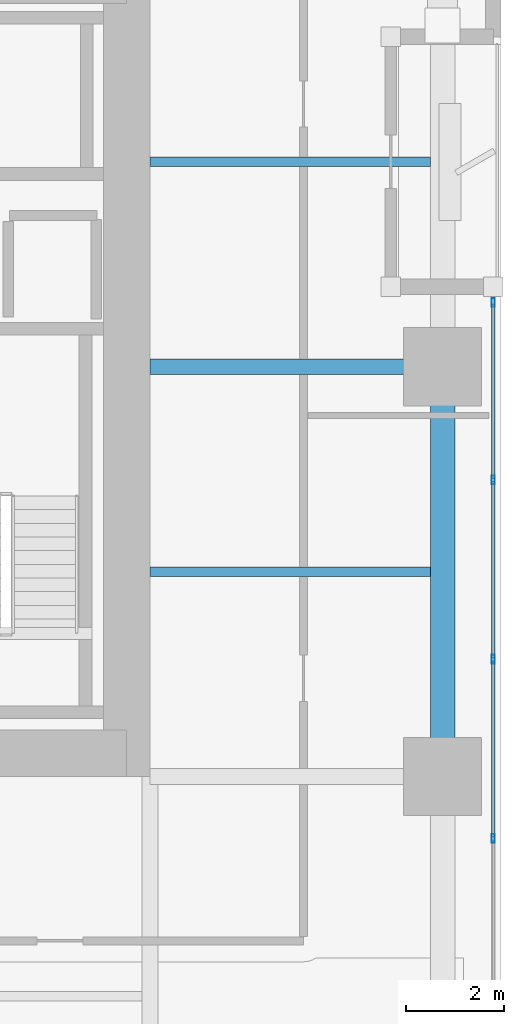
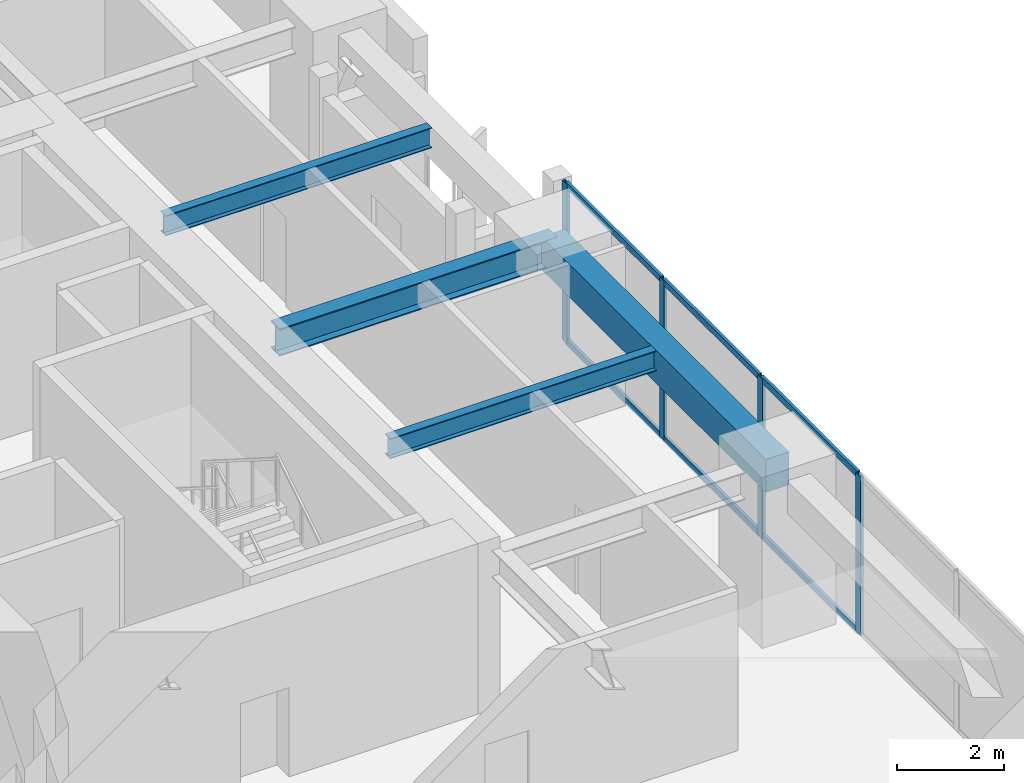
# One storey, part 6 of 24: 10 members, 4 beams, 1 element without a shape of its own.
"""IFC4 building model written with IfcOpenShell, lengths in metres."""

from ifc_helpers import new_model, si_unit, direction, frame, origin, origin_2d, place, context, subcontext, project, spatial, rectangle, hollow_rectangle, i_section, extrude, material, layer, layer_set, material_profile, profile_set, type_object, element, aggregate, save


model = new_model("IFC4")

# Units and contexts
model_context = context("Model", 3, precision=1e-05, world=origin(), true_north=direction((0.0, 1.0)))
body_context = subcontext(model_context, "Body", "Model", "MODEL_VIEW")
ifc_project = project(units=[si_unit("LENGTHUNIT", "METRE"), si_unit("AREAUNIT", "SQUARE_METRE"), si_unit("VOLUMEUNIT", "CUBIC_METRE"), si_unit("PLANEANGLEUNIT", "RADIAN"), si_unit("MASSUNIT", "GRAM", prefix="KILO")], contexts=[model_context])

# Site, building, storey
site_placement = place(None, origin())
site = spatial("IfcSite", under=ifc_project, at=site_placement, CompositionType="ELEMENT")
building_placement = place(site_placement, origin())
building = spatial("IfcBuilding", under=site, at=building_placement, Name="Kiyonajd Concourse Tower", CompositionType="ELEMENT")
storey_placement = place(building_placement, frame((0.0, 0.0, 85.800048828125)))
storey = spatial("IfcBuildingStorey", under=building, at=storey_placement, Name="L22", CompositionType="ELEMENT", Elevation=85.800048828125)

# Beams
ifc_material_1 = material(Name="Steel ASTM A992 Grade 50", Category="steel")
ifc_material_profile_1 = material_profile(ifc_material_1, i_section(OverallWidth=0.19189453125, OverallDepth=0.462890625, WebThickness=0.010498046875, FlangeThickness=0.017578125, at=origin_2d()), Name="W460X89")
ifc_profile_set_1 = profile_set([ifc_material_profile_1], Name="Steel ASTM A992 Grade 50")
beam_type_1 = type_object("IfcBeamType", Name="BM-JST-460B", PredefinedType="JOIST", material=ifc_profile_set_1)
for number, where, z_axis, x_axis, name in (
    (1, (63.60009765625, 31.800048828125, 3.408447265625), (1.0, 0.0, 0.0), (0.0, 1.0, 0.0), "L22 East Secondary Floor Joist"),
    (2, (63.60009765625, 40.199951171875, 3.408447265625), (1.0, 0.0, 0.0), (0.0, 1.0, 0.0), "L22 East Secondary Floor Joist"),
):
    element("IfcBeam", number, at=place(storey_placement, frame(where, z_axis=z_axis, x_axis=x_axis)), inside=storey, type_object=beam_type_1, Name=name, PredefinedType="JOIST", context=body_context, shape_type="SweptSolid", body=[
        extrude(i_section(OverallWidth=0.19189453125, OverallDepth=0.462890625, WebThickness=0.010498046875, FlangeThickness=0.017578125, at=origin_2d()), origin(), (0.0, 0.0, 1.0), 5.75),
    ])
ifc_material_2 = material(Name="Precast concrete C50/60", Category="concrete")
ifc_material_profile_2 = material_profile(ifc_material_2, rectangle(XDim=0.5, YDim=0.75, at=origin_2d()), Name="RCBM-500x750")
ifc_profile_set_2 = profile_set([ifc_material_profile_2], Name="Precast concrete C50/60")
beam_type_2 = type_object("IfcBeamType", Name="BM-SPAN-RC", PredefinedType="SPANDREL", material=ifc_profile_set_2)
beam_1_placement = place(storey_placement, frame((69.60009765625, 27.60009765625, 3.264892578125), z_axis=(0.0, 1.0, 0.0), x_axis=(-1.0, 0.0, 0.0)))
element("IfcBeam", 3, at=beam_1_placement, inside=storey, type_object=beam_type_2, Name="L22 Perimeter Bundled Tube Spandrel", PredefinedType="SPANDREL", context=body_context, shape_type="SweptSolid", body=[
    extrude(rectangle(XDim=0.5, YDim=0.75, at=origin_2d()), origin(), (0.0, 0.0, 1.0), 8.39990234375),
])
ifc_material_profile_3 = material_profile(ifc_material_1, i_section(OverallWidth=0.326904296875, OverallDepth=0.6220703125, WebThickness=0.015380859375, FlangeThickness=0.0244140625, at=origin_2d()), Name="W610X195")
ifc_profile_set_3 = profile_set([ifc_material_profile_3], Name="Steel ASTM A992 Grade 50")
beam_type_3 = type_object("IfcBeamType", Name="BM-TWR-610A", PredefinedType="BEAM", material=ifc_profile_set_3)
beam_2_placement = place(storey_placement, frame((63.60009765625, 36.0, 3.328857421875), z_axis=(1.0, 0.0, 0.0), x_axis=(0.0, 1.0, 0.0)))
element("IfcBeam", 4, at=beam_2_placement, inside=storey, type_object=beam_type_3, Name="L22 East Lease Girder", PredefinedType="BEAM", context=body_context, shape_type="SweptSolid", body=[
    extrude(i_section(OverallWidth=0.326904296875, OverallDepth=0.6220703125, WebThickness=0.015380859375, FlangeThickness=0.0244140625, at=origin_2d()), origin(), (0.0, 0.0, 1.0), 6.0),
])

# Curtain wall, members
ifc_material_3 = material(Name="Thermally Broken Anodised Aluminium", Category="aluminium")
ifc_layer = layer(ifc_material_3, 0.179931640625)
ifc_layer_set = layer_set([ifc_layer], Name="Thermally Broken Anodised Aluminium")
curtain_wall_type = type_object("IfcCurtainWallType", Name="CW-SYS-03", PredefinedType="NOTDEFINED", material=ifc_layer_set)
curtain_wall_placement = place(storey_placement, origin())
curtain_wall = element("IfcCurtainWall", 5, at=curtain_wall_placement, inside=storey, type_object=curtain_wall_type, Name="L22 Unitised Curtain Wall CW3", PredefinedType="NOTDEFINED")
ifc_material_profile_4 = material_profile(ifc_material_3, hollow_rectangle(XDim=0.06494140625, YDim=0.179931640625, WallThickness=0.00390625, at=origin_2d()), Name="MULL-65x180")
ifc_profile_set_4 = profile_set([ifc_material_profile_4], Name="Thermally Broken Anodised Aluminium")
member_type_1 = type_object("IfcMemberType", Name="MB-CW-MULL1", PredefinedType="MULLION", material=ifc_profile_set_4)
member_1_placement = place(storey_placement, frame((70.639892578125, 37.3173828125, 0.0), z_axis=(0.0, 0.0, 1.0), x_axis=(1.0, 0.0, 0.0)))
member_1 = element("IfcMember", 6, at=member_1_placement, type_object=member_type_1, Name="CW3 mullion 1", PredefinedType="MULLION", context=body_context, shape_type="SweptSolid", body=[
    extrude(hollow_rectangle(XDim=0.06494140625, YDim=0.179931640625, WallThickness=0.00390625, at=origin_2d()), origin(), (0.0, 0.0, 1.0), 3.639892578125),
])
member_2_placement = place(storey_placement, frame((70.639892578125, 33.6767578125, 0.0), z_axis=(0.0, 0.0, 1.0), x_axis=(1.0, 0.0, 0.0)))
member_2 = element("IfcMember", 7, at=member_2_placement, type_object=member_type_1, Name="CW3 mullion 2", PredefinedType="MULLION", context=body_context, shape_type="SweptSolid", body=[
    extrude(hollow_rectangle(XDim=0.06494140625, YDim=0.179931640625, WallThickness=0.00390625, at=origin_2d()), origin(), (0.0, 0.0, 1.0), 3.639892578125),
])
member_3_placement = place(storey_placement, frame((70.639892578125, 30.003662109375, 0.0), z_axis=(0.0, 0.0, 1.0), x_axis=(1.0, 0.0, 0.0)))
member_3 = element("IfcMember", 8, at=member_3_placement, type_object=member_type_1, Name="CW3 mullion 3", PredefinedType="MULLION", context=body_context, shape_type="SweptSolid", body=[
    extrude(hollow_rectangle(XDim=0.06494140625, YDim=0.179931640625, WallThickness=0.00390625, at=origin_2d()), origin(), (0.0, 0.0, 1.0), 3.639892578125),
])
member_4_placement = place(storey_placement, frame((70.639892578125, 26.33056640625, 0.0), z_axis=(0.0, 0.0, 1.0), x_axis=(1.0, 0.0, 0.0)))
member_4 = element("IfcMember", 9, at=member_4_placement, type_object=member_type_1, Name="CW3 mullion 4", PredefinedType="MULLION", context=body_context, shape_type="SweptSolid", body=[
    extrude(hollow_rectangle(XDim=0.06494140625, YDim=0.179931640625, WallThickness=0.00390625, at=origin_2d()), origin(), (0.0, 0.0, 1.0), 3.639892578125),
])
ifc_material_profile_5 = material_profile(ifc_material_3, hollow_rectangle(XDim=0.06494140625, YDim=0.139892578125, WallThickness=0.00390625, at=origin_2d()), Name="TRAN-65x140")
ifc_profile_set_5 = profile_set([ifc_material_profile_5], Name="Thermally Broken Anodised Aluminium")
member_type_2 = type_object("IfcMemberType", Name="MB-CW-TRAN1", PredefinedType="USERDEFINED", material=ifc_profile_set_5)
member_5_placement = place(storey_placement, frame((70.639892578125, 37.284912109375, 0.032470703125), z_axis=(0.0, -1.0, 0.0), x_axis=(1.0, 0.0, 0.0)))
member_5 = element("IfcMember", 10, at=member_5_placement, type_object=member_type_2, Name="CW3 transom 1.1", ObjectType="TRANSOM", PredefinedType="USERDEFINED", context=body_context, shape_type="SweptSolid", body=[
    extrude(hollow_rectangle(XDim=0.06494140625, YDim=0.139892578125, WallThickness=0.00390625, at=origin_2d()), origin(), (0.0, 0.0, 1.0), 3.57568359375),
])
member_6_placement = place(storey_placement, frame((70.639892578125, 37.284912109375, 3.607421875), z_axis=(0.0, -1.0, 0.0), x_axis=(1.0, 0.0, 0.0)))
member_6 = element("IfcMember", 11, at=member_6_placement, type_object=member_type_2, Name="CW3 transom 1.2", ObjectType="TRANSOM", PredefinedType="USERDEFINED", context=body_context, shape_type="SweptSolid", body=[
    extrude(hollow_rectangle(XDim=0.06494140625, YDim=0.139892578125, WallThickness=0.00390625, at=origin_2d()), origin(), (0.0, 0.0, 1.0), 3.57568359375),
])
member_7_placement = place(storey_placement, frame((70.639892578125, 33.644287109375, 0.032470703125), z_axis=(0.0, -1.0, 0.0), x_axis=(1.0, 0.0, 0.0)))
member_7 = element("IfcMember", 12, at=member_7_placement, type_object=member_type_2, Name="CW3 transom 2.1", ObjectType="TRANSOM", PredefinedType="USERDEFINED", context=body_context, shape_type="SweptSolid", body=[
    extrude(hollow_rectangle(XDim=0.06494140625, YDim=0.139892578125, WallThickness=0.00390625, at=origin_2d()), origin(), (0.0, 0.0, 1.0), 3.608154296875),
])
member_8_placement = place(storey_placement, frame((70.639892578125, 33.644287109375, 3.607421875), z_axis=(0.0, -1.0, 0.0), x_axis=(1.0, 0.0, 0.0)))
member_8 = element("IfcMember", 13, at=member_8_placement, type_object=member_type_2, Name="CW3 transom 2.2", ObjectType="TRANSOM", PredefinedType="USERDEFINED", context=body_context, shape_type="SweptSolid", body=[
    extrude(hollow_rectangle(XDim=0.06494140625, YDim=0.139892578125, WallThickness=0.00390625, at=origin_2d()), origin(), (0.0, 0.0, 1.0), 3.608154296875),
])
member_9_placement = place(storey_placement, frame((70.639892578125, 29.97119140625, 0.032470703125), z_axis=(0.0, -1.0, 0.0), x_axis=(1.0, 0.0, 0.0)))
member_9 = element("IfcMember", 14, at=member_9_placement, type_object=member_type_2, Name="CW3 transom 3.1", ObjectType="TRANSOM", PredefinedType="USERDEFINED", context=body_context, shape_type="SweptSolid", body=[
    extrude(hollow_rectangle(XDim=0.06494140625, YDim=0.139892578125, WallThickness=0.00390625, at=origin_2d()), origin(), (0.0, 0.0, 1.0), 3.608154296875),
])
member_10_placement = place(storey_placement, frame((70.639892578125, 29.97119140625, 3.607421875), z_axis=(0.0, -1.0, 0.0), x_axis=(1.0, 0.0, 0.0)))
member_10 = element("IfcMember", 15, at=member_10_placement, type_object=member_type_2, Name="CW3 transom 3.2", ObjectType="TRANSOM", PredefinedType="USERDEFINED", context=body_context, shape_type="SweptSolid", body=[
    extrude(hollow_rectangle(XDim=0.06494140625, YDim=0.139892578125, WallThickness=0.00390625, at=origin_2d()), origin(), (0.0, 0.0, 1.0), 3.608154296875),
])
aggregate(curtain_wall, [member_1, member_2, member_3, member_4, member_5, member_6, member_7, member_8, member_9, member_10])

save(model, "model.ifc")
